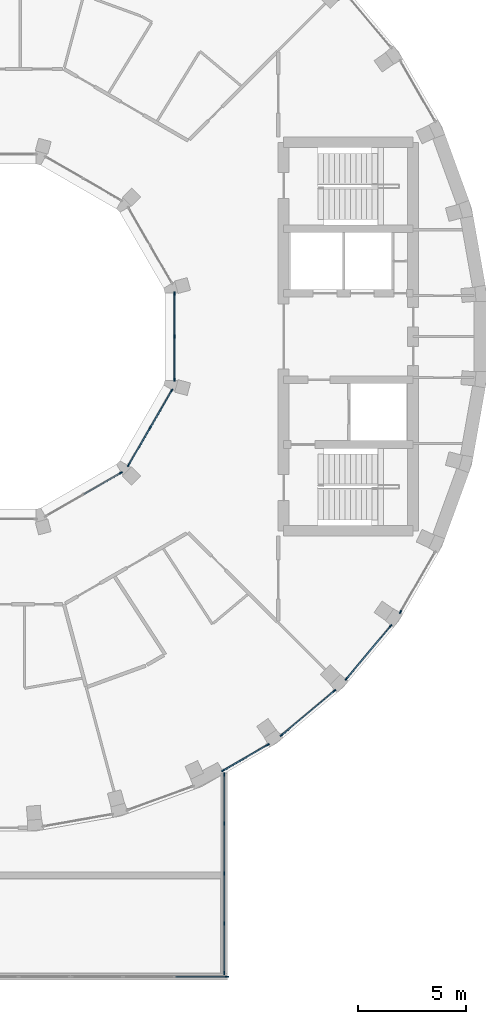
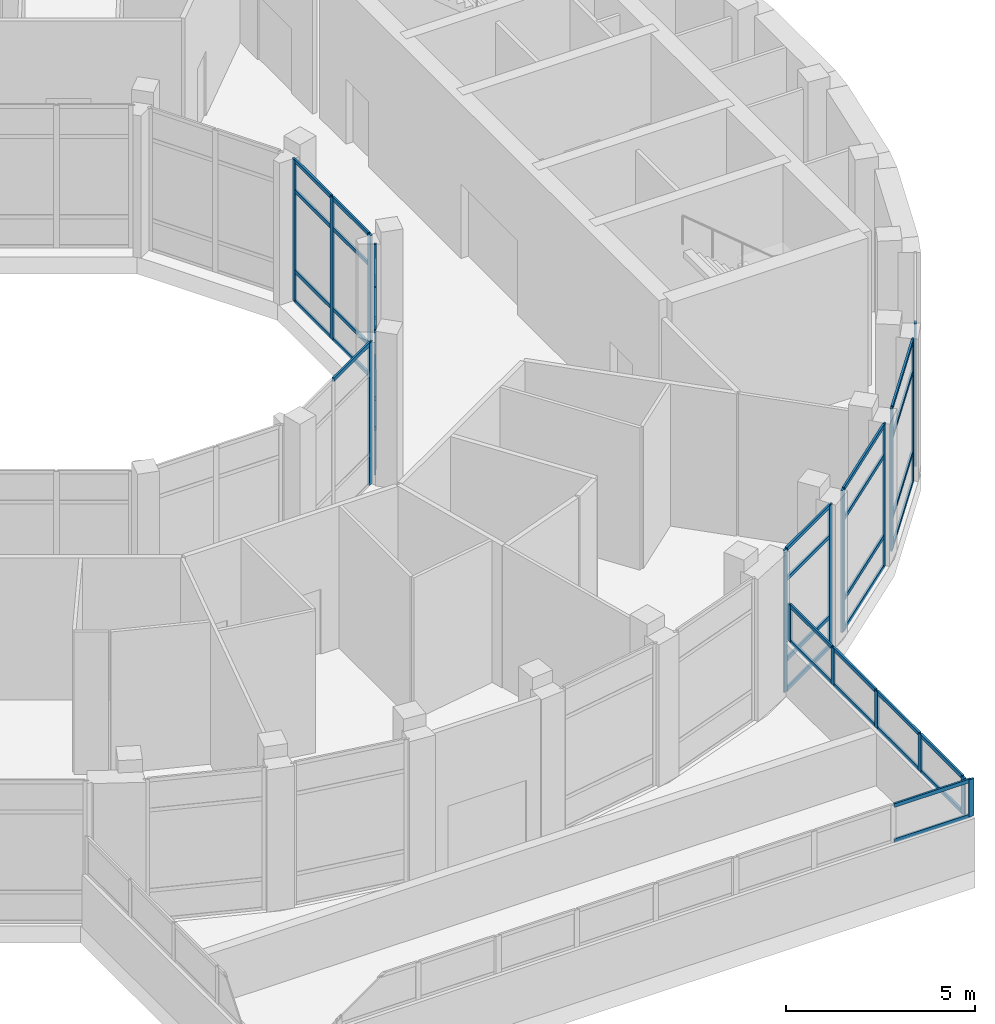
# One storey, part 5 of 19: 59 members, 9 elements without a shape of their own.
"""IFC4 building model written with IfcOpenShell, lengths in metres."""

from ifc_helpers import new_model, si_unit, direction, frame, origin, origin_2d, place, context, subcontext, project, spatial, rectangle, extrude, material, layer, layer_set, material_profile, profile_set, type_object, element, aggregate, save


model = new_model("IFC4")

# Units and contexts
model_context = context("Model", 3, precision=1e-05, world=origin(), true_north=direction((0.0, 1.0)))
body_context = subcontext(model_context, "Body", "Model", "MODEL_VIEW")
ifc_project = project(units=[si_unit("LENGTHUNIT", "METRE"), si_unit("AREAUNIT", "SQUARE_METRE"), si_unit("VOLUMEUNIT", "CUBIC_METRE"), si_unit("PLANEANGLEUNIT", "RADIAN"), si_unit("MASSUNIT", "GRAM", prefix="KILO")], contexts=[model_context])

# Site, building, storey
site_placement = place(None, origin())
site = spatial("IfcSite", under=ifc_project, at=site_placement, CompositionType="ELEMENT")
building_placement = place(site_placement, origin())
building = spatial("IfcBuilding", under=site, at=building_placement, Name="Saqina Gate Tower", CompositionType="ELEMENT")
storey_placement = place(building_placement, frame((0.0, 0.0, 224.699951171875)))
storey = spatial("IfcBuildingStorey", under=building, at=storey_placement, Name="L64", CompositionType="ELEMENT", Elevation=224.699951171875)

# Curtain wall, members
ifc_material_1 = material(Name="Aluminium glazing", Category="aluminium")
ifc_layer_1 = layer(ifc_material_1, 0.159912109375)
ifc_layer_set_1 = layer_set([ifc_layer_1], Name="CWT-2")
curtain_wall_type_1 = type_object("IfcCurtainWallType", Name="CWT-2", PredefinedType="NOTDEFINED", material=ifc_layer_set_1)
curtain_wall_1_placement = place(storey_placement, origin())
curtain_wall_1 = element("IfcCurtainWall", 1, at=curtain_wall_1_placement, inside=storey, type_object=curtain_wall_type_1, Name="Sky lounge glazing facet 30", PredefinedType="NOTDEFINED")
ifc_material_2 = material(Name="Aluminium", Category="aluminium")
ifc_material_profile_1 = material_profile(ifc_material_2, rectangle(XDim=0.06005859375, YDim=0.159912109375, at=origin_2d()), Name="Aluminium 60x160")
ifc_profile_set_1 = profile_set([ifc_material_profile_1], Name="Aluminium")
member_type_1 = type_object("IfcMemberType", Name="CWT-2M", PredefinedType="MULLION", material=ifc_profile_set_1)
member_1_placement = place(storey_placement, frame((10.700927734375, -20.105712890625, 0.0), z_axis=(0.0, 0.0, 1.0), x_axis=(-0.499971836646, 0.866041663294, 0.0)))
member_1 = element("IfcMember", 2, at=member_1_placement, type_object=member_type_1, Name="CW2-30 mullion 1", PredefinedType="MULLION", context=body_context, shape_type="SweptSolid", body=[
    extrude(rectangle(XDim=0.06005859375, YDim=0.159912109375, at=origin_2d()), origin(), (0.0, 0.0, 1.0), 4.60009765625),
])
member_2_placement = place(storey_placement, frame((12.763427734375, -18.9150390625, 0.0), z_axis=(0.0, 0.0, 1.0), x_axis=(-0.499971836646, 0.866041663294, 0.0)))
member_2 = element("IfcMember", 3, at=member_2_placement, type_object=member_type_1, Name="CW2-30 mullion 2", PredefinedType="MULLION", context=body_context, shape_type="SweptSolid", body=[
    extrude(rectangle(XDim=0.06005859375, YDim=0.159912109375, at=origin_2d()), origin(), (0.0, 0.0, 1.0), 4.60009765625),
])

curtain_wall_2_placement = place(storey_placement, origin())
curtain_wall_2 = element("IfcCurtainWall", 4, at=curtain_wall_2_placement, inside=storey, type_object=curtain_wall_type_1, Name="Sky lounge glazing facet 31", PredefinedType="NOTDEFINED")
member_3_placement = place(storey_placement, frame((13.408935546875, -18.462890625, 0.0), z_axis=(0.0, 0.0, 1.0), x_axis=(-0.642785214609, 0.766046452821, 0.0)))
member_3 = element("IfcMember", 5, at=member_3_placement, type_object=member_type_1, Name="CW2-31 mullion 1", PredefinedType="MULLION", context=body_context, shape_type="SweptSolid", body=[
    extrude(rectangle(XDim=0.06005859375, YDim=0.159912109375, at=origin_2d()), origin(), (0.0, 0.0, 1.0), 4.60009765625),
])
member_4_placement = place(storey_placement, frame((15.85400390625, -16.411376953125, 0.0), z_axis=(0.0, 0.0, 1.0), x_axis=(-0.642785214609, 0.766046452821, 0.0)))
member_4 = element("IfcMember", 6, at=member_4_placement, type_object=member_type_1, Name="CW2-31 mullion 2", PredefinedType="MULLION", context=body_context, shape_type="SweptSolid", body=[
    extrude(rectangle(XDim=0.06005859375, YDim=0.159912109375, at=origin_2d()), origin(), (0.0, 0.0, 1.0), 4.60009765625),
])

curtain_wall_3_placement = place(storey_placement, origin())
curtain_wall_3 = element("IfcCurtainWall", 7, at=curtain_wall_3_placement, inside=storey, type_object=curtain_wall_type_1, Name="Sky lounge glazing facet 32", PredefinedType="NOTDEFINED")
member_5_placement = place(storey_placement, frame((16.411376953125, -15.85400390625, 0.0), z_axis=(0.0, 0.0, 1.0), x_axis=(-0.766046452821, 0.642785214609, 0.0)))
member_5 = element("IfcMember", 8, at=member_5_placement, type_object=member_type_1, Name="CW2-32 mullion 1", PredefinedType="MULLION", context=body_context, shape_type="SweptSolid", body=[
    extrude(rectangle(XDim=0.06005859375, YDim=0.159912109375, at=origin_2d()), origin(), (0.0, 0.0, 1.0), 4.60009765625),
])
member_6_placement = place(storey_placement, frame((18.462890625, -13.408935546875, 0.0), z_axis=(0.0, 0.0, 1.0), x_axis=(-0.766046452821, 0.642785214609, 0.0)))
member_6 = element("IfcMember", 9, at=member_6_placement, type_object=member_type_1, Name="CW2-32 mullion 2", PredefinedType="MULLION", context=body_context, shape_type="SweptSolid", body=[
    extrude(rectangle(XDim=0.06005859375, YDim=0.159912109375, at=origin_2d()), origin(), (0.0, 0.0, 1.0), 4.60009765625),
])

# Curtain wall, member
curtain_wall_4_placement = place(storey_placement, origin())
curtain_wall_4 = element("IfcCurtainWall", 10, at=curtain_wall_4_placement, inside=storey, type_object=curtain_wall_type_1, Name="Sky lounge glazing facet 33", PredefinedType="NOTDEFINED")
member_7_placement = place(storey_placement, frame((18.9150390625, -12.763427734375, 0.0), z_axis=(0.0, 0.0, 1.0), x_axis=(-0.8660355365, 0.499982449212, 0.0)))
member_7 = element("IfcMember", 11, at=member_7_placement, type_object=member_type_1, Name="CW2-33 mullion 1", PredefinedType="MULLION", context=body_context, shape_type="SweptSolid", body=[
    extrude(rectangle(XDim=0.06005859375, YDim=0.159912109375, at=origin_2d()), origin(), (0.0, 0.0, 1.0), 4.60009765625),
])
aggregate(curtain_wall_4, [member_7])

# Member
ifc_material_3 = material(Name="Aluminium", Category="aluminium")
ifc_material_profile_2 = material_profile(ifc_material_3, rectangle(XDim=0.06005859375, YDim=0.1201171875, at=origin_2d()), Name="Aluminium 60x120")
ifc_profile_set_2 = profile_set([ifc_material_profile_2], Name="Aluminium")
member_type_2 = type_object("IfcMemberType", Name="CWT-2T", PredefinedType="USERDEFINED", material=ifc_profile_set_2)
member_8_placement = place(storey_placement, frame((10.72705078125, -20.090576171875, 0.030029296875), z_axis=(0.866020945878, 0.500007721242, 0.0), x_axis=(-0.500007721242, 0.866020945878, 0.0)))
member_8 = element("IfcMember", 12, at=member_8_placement, type_object=member_type_2, Name="CW2-30 transom 1.1", ObjectType="TRANSOM", PredefinedType="USERDEFINED", context=body_context, shape_type="SweptSolid", body=[
    extrude(rectangle(XDim=0.06005859375, YDim=0.1201171875, at=origin_2d()), origin(), (0.0, 0.0, 1.0), 2.3212890625),
])

member_9_placement = place(storey_placement, frame((10.72705078125, -20.090576171875, 1.0), z_axis=(0.866020945878, 0.500007721242, 0.0), x_axis=(-0.500007721242, 0.866020945878, 0.0)))
member_9 = element("IfcMember", 13, at=member_9_placement, type_object=member_type_2, Name="CW2-30 transom 1.2", ObjectType="TRANSOM", PredefinedType="USERDEFINED", context=body_context, shape_type="SweptSolid", body=[
    extrude(rectangle(XDim=0.06005859375, YDim=0.1201171875, at=origin_2d()), origin(), (0.0, 0.0, 1.0), 2.3212890625),
])

member_10_placement = place(storey_placement, frame((10.72705078125, -20.090576171875, 3.60009765625), z_axis=(0.866020945878, 0.500007721242, 0.0), x_axis=(-0.500007721242, 0.866020945878, 0.0)))
member_10 = element("IfcMember", 14, at=member_10_placement, type_object=member_type_2, Name="CW2-30 transom 1.3", ObjectType="TRANSOM", PredefinedType="USERDEFINED", context=body_context, shape_type="SweptSolid", body=[
    extrude(rectangle(XDim=0.06005859375, YDim=0.1201171875, at=origin_2d()), origin(), (0.0, 0.0, 1.0), 2.3212890625),
])

member_11_placement = place(storey_placement, frame((10.72705078125, -20.090576171875, 4.570068359375), z_axis=(0.866020945878, 0.500007721242, 0.0), x_axis=(-0.500007721242, 0.866020945878, 0.0)))
member_11 = element("IfcMember", 15, at=member_11_placement, type_object=member_type_2, Name="CW2-30 transom 1.4", ObjectType="TRANSOM", PredefinedType="USERDEFINED", context=body_context, shape_type="SweptSolid", body=[
    extrude(rectangle(XDim=0.06005859375, YDim=0.1201171875, at=origin_2d()), origin(), (0.0, 0.0, 1.0), 2.3212890625),
])

aggregate(curtain_wall_1, [member_1, member_2, member_8, member_9, member_10, member_11])

member_12_placement = place(storey_placement, frame((13.431884765625, -18.443603515625, 0.030029296875), z_axis=(0.766076382206, 0.642749544244, 0.0), x_axis=(-0.642749544244, 0.766076382206, 0.0)))
member_12 = element("IfcMember", 16, at=member_12_placement, type_object=member_type_2, Name="CW2-31 transom 1.1", ObjectType="TRANSOM", PredefinedType="USERDEFINED", context=body_context, shape_type="SweptSolid", body=[
    extrude(rectangle(XDim=0.06005859375, YDim=0.1201171875, at=origin_2d()), origin(), (0.0, 0.0, 1.0), 3.1318359375),
])

member_13_placement = place(storey_placement, frame((13.431884765625, -18.443603515625, 1.0), z_axis=(0.766076382206, 0.642749544244, 0.0), x_axis=(-0.642749544244, 0.766076382206, 0.0)))
member_13 = element("IfcMember", 17, at=member_13_placement, type_object=member_type_2, Name="CW2-31 transom 1.2", ObjectType="TRANSOM", PredefinedType="USERDEFINED", context=body_context, shape_type="SweptSolid", body=[
    extrude(rectangle(XDim=0.06005859375, YDim=0.1201171875, at=origin_2d()), origin(), (0.0, 0.0, 1.0), 3.1318359375),
])

member_14_placement = place(storey_placement, frame((13.431884765625, -18.443603515625, 3.60009765625), z_axis=(0.766076382206, 0.642749544244, 0.0), x_axis=(-0.642749544244, 0.766076382206, 0.0)))
member_14 = element("IfcMember", 18, at=member_14_placement, type_object=member_type_2, Name="CW2-31 transom 1.3", ObjectType="TRANSOM", PredefinedType="USERDEFINED", context=body_context, shape_type="SweptSolid", body=[
    extrude(rectangle(XDim=0.06005859375, YDim=0.1201171875, at=origin_2d()), origin(), (0.0, 0.0, 1.0), 3.1318359375),
])

member_15_placement = place(storey_placement, frame((13.431884765625, -18.443603515625, 4.570068359375), z_axis=(0.766076382206, 0.642749544244, 0.0), x_axis=(-0.642749544244, 0.766076382206, 0.0)))
member_15 = element("IfcMember", 19, at=member_15_placement, type_object=member_type_2, Name="CW2-31 transom 1.4", ObjectType="TRANSOM", PredefinedType="USERDEFINED", context=body_context, shape_type="SweptSolid", body=[
    extrude(rectangle(XDim=0.06005859375, YDim=0.1201171875, at=origin_2d()), origin(), (0.0, 0.0, 1.0), 3.1318359375),
])

aggregate(curtain_wall_2, [member_3, member_4, member_12, member_13, member_14, member_15])

member_16_placement = place(storey_placement, frame((16.4306640625, -15.8310546875, 0.030029296875), z_axis=(0.642749544244, 0.766076382206, 0.0), x_axis=(-0.766076382206, 0.642749544244, 0.0)))
member_16 = element("IfcMember", 20, at=member_16_placement, type_object=member_type_2, Name="CW2-32 transom 1.1", ObjectType="TRANSOM", PredefinedType="USERDEFINED", context=body_context, shape_type="SweptSolid", body=[
    extrude(rectangle(XDim=0.06005859375, YDim=0.1201171875, at=origin_2d()), origin(), (0.0, 0.0, 1.0), 3.1318359375),
])

member_17_placement = place(storey_placement, frame((16.4306640625, -15.8310546875, 1.0), z_axis=(0.642749544244, 0.766076382206, 0.0), x_axis=(-0.766076382206, 0.642749544244, 0.0)))
member_17 = element("IfcMember", 21, at=member_17_placement, type_object=member_type_2, Name="CW2-32 transom 1.2", ObjectType="TRANSOM", PredefinedType="USERDEFINED", context=body_context, shape_type="SweptSolid", body=[
    extrude(rectangle(XDim=0.06005859375, YDim=0.1201171875, at=origin_2d()), origin(), (0.0, 0.0, 1.0), 3.1318359375),
])

member_18_placement = place(storey_placement, frame((16.4306640625, -15.8310546875, 3.60009765625), z_axis=(0.642749544244, 0.766076382206, 0.0), x_axis=(-0.766076382206, 0.642749544244, 0.0)))
member_18 = element("IfcMember", 22, at=member_18_placement, type_object=member_type_2, Name="CW2-32 transom 1.3", ObjectType="TRANSOM", PredefinedType="USERDEFINED", context=body_context, shape_type="SweptSolid", body=[
    extrude(rectangle(XDim=0.06005859375, YDim=0.1201171875, at=origin_2d()), origin(), (0.0, 0.0, 1.0), 3.1318359375),
])

member_19_placement = place(storey_placement, frame((16.4306640625, -15.8310546875, 4.570068359375), z_axis=(0.642749544244, 0.766076382206, 0.0), x_axis=(-0.766076382206, 0.642749544244, 0.0)))
member_19 = element("IfcMember", 23, at=member_19_placement, type_object=member_type_2, Name="CW2-32 transom 1.4", ObjectType="TRANSOM", PredefinedType="USERDEFINED", context=body_context, shape_type="SweptSolid", body=[
    extrude(rectangle(XDim=0.06005859375, YDim=0.1201171875, at=origin_2d()), origin(), (0.0, 0.0, 1.0), 3.1318359375),
])

aggregate(curtain_wall_3, [member_5, member_6, member_16, member_17, member_18, member_19])

# Curtain wall, member
ifc_material_4 = material(Name="Aluminium glazing", Category="aluminium")
ifc_layer_2 = layer(ifc_material_4, 0.159912109375)
ifc_layer_set_2 = layer_set([ifc_layer_2], Name="CWT-3")
curtain_wall_type_2 = type_object("IfcCurtainWallType", Name="CWT-3", PredefinedType="NOTDEFINED", material=ifc_layer_set_2)
curtain_wall_5_placement = place(storey_placement, origin())
curtain_wall_5 = element("IfcCurtainWall", 24, at=curtain_wall_5_placement, inside=storey, type_object=curtain_wall_type_2, Name="Sky lounge well glazing L64 facet 10", PredefinedType="NOTDEFINED")
ifc_material_5 = material(Name="Aluminium", Category="aluminium")
ifc_material_profile_3 = material_profile(ifc_material_5, rectangle(XDim=0.06005859375, YDim=0.159912109375, at=origin_2d()), Name="Aluminium 60x160")
ifc_profile_set_3 = profile_set([ifc_material_profile_3], Name="Aluminium")
member_type_3 = type_object("IfcMemberType", Name="CWT-3M", PredefinedType="MULLION", material=ifc_profile_set_3)
member_20_placement = place(storey_placement, frame((5.95654296875, -6.318115234375, 0.0), z_axis=(0.0, 0.0, 1.0), x_axis=(-0.500002550729, 0.866023931115, 0.0)))
member_20 = element("IfcMember", 25, at=member_20_placement, type_object=member_type_3, Name="CW3-10 mullion 3", PredefinedType="MULLION", context=body_context, shape_type="SweptSolid", body=[
    extrude(rectangle(XDim=0.06005859375, YDim=0.159912109375, at=origin_2d()), origin(), (0.0, 0.0, 1.0), 4.60009765625),
])

# Curtain wall, members
curtain_wall_6_placement = place(storey_placement, origin())
curtain_wall_6 = element("IfcCurtainWall", 26, at=curtain_wall_6_placement, inside=storey, type_object=curtain_wall_type_2, Name="Sky lounge well glazing L64 facet 11", PredefinedType="NOTDEFINED")
member_21_placement = place(storey_placement, frame((6.318115234375, -5.95654296875, 0.0), z_axis=(0.0, 0.0, 1.0), x_axis=(-0.866023931115, 0.500002550729, 0.0)))
member_21 = element("IfcMember", 27, at=member_21_placement, type_object=member_type_3, Name="CW3-11 mullion 1", PredefinedType="MULLION", context=body_context, shape_type="SweptSolid", body=[
    extrude(rectangle(XDim=0.06005859375, YDim=0.159912109375, at=origin_2d()), origin(), (0.0, 0.0, 1.0), 4.60009765625),
])
member_22_placement = place(storey_placement, frame((7.31787109375, -4.22509765625, 0.0), z_axis=(0.0, 0.0, 1.0), x_axis=(-0.866023931115, 0.500002550729, 0.0)))
member_22 = element("IfcMember", 28, at=member_22_placement, type_object=member_type_3, Name="CW3-11 mullion 2", PredefinedType="MULLION", context=body_context, shape_type="SweptSolid", body=[
    extrude(rectangle(XDim=0.06005859375, YDim=0.159912109375, at=origin_2d()), origin(), (0.0, 0.0, 1.0), 4.60009765625),
])
member_23_placement = place(storey_placement, frame((8.317626953125, -2.493408203125, 0.0), z_axis=(0.0, 0.0, 1.0), x_axis=(-0.866023931115, 0.500002550729, 0.0)))
member_23 = element("IfcMember", 29, at=member_23_placement, type_object=member_type_3, Name="CW3-11 mullion 3", PredefinedType="MULLION", context=body_context, shape_type="SweptSolid", body=[
    extrude(rectangle(XDim=0.06005859375, YDim=0.159912109375, at=origin_2d()), origin(), (0.0, 0.0, 1.0), 4.60009765625),
])

curtain_wall_7_placement = place(storey_placement, origin())
curtain_wall_7 = element("IfcCurtainWall", 30, at=curtain_wall_7_placement, inside=storey, type_object=curtain_wall_type_2, Name="Sky lounge well glazing L64 facet 12", PredefinedType="NOTDEFINED")
member_24_placement = place(storey_placement, frame((8.449951171875, -1.99951171875, 0.0), z_axis=(0.0, 0.0, 1.0), x_axis=(-1.0, 0.0, 0.0)))
member_24 = element("IfcMember", 31, at=member_24_placement, type_object=member_type_3, Name="CW3-12 mullion 1", PredefinedType="MULLION", context=body_context, shape_type="SweptSolid", body=[
    extrude(rectangle(XDim=0.06005859375, YDim=0.159912109375, at=origin_2d()), origin(), (0.0, 0.0, 1.0), 4.60009765625),
])
member_25_placement = place(storey_placement, frame((8.449951171875, 0.0, 0.0), z_axis=(0.0, 0.0, 1.0), x_axis=(-1.0, 0.0, 0.0)))
member_25 = element("IfcMember", 32, at=member_25_placement, type_object=member_type_3, Name="CW3-12 mullion 2", PredefinedType="MULLION", context=body_context, shape_type="SweptSolid", body=[
    extrude(rectangle(XDim=0.06005859375, YDim=0.159912109375, at=origin_2d()), origin(), (0.0, 0.0, 1.0), 4.60009765625),
])
member_26_placement = place(storey_placement, frame((8.449951171875, 1.99951171875, 0.0), z_axis=(0.0, 0.0, 1.0), x_axis=(-1.0, 0.0, 0.0)))
member_26 = element("IfcMember", 33, at=member_26_placement, type_object=member_type_3, Name="CW3-12 mullion 3", PredefinedType="MULLION", context=body_context, shape_type="SweptSolid", body=[
    extrude(rectangle(XDim=0.06005859375, YDim=0.159912109375, at=origin_2d()), origin(), (0.0, 0.0, 1.0), 4.60009765625),
])

# Member
ifc_material_6 = material(Name="Aluminium", Category="aluminium")
ifc_material_profile_4 = material_profile(ifc_material_6, rectangle(XDim=0.06005859375, YDim=0.1201171875, at=origin_2d()), Name="Aluminium 60x120")
ifc_profile_set_4 = profile_set([ifc_material_profile_4], Name="Aluminium")
member_type_4 = type_object("IfcMemberType", Name="CWT-3T", PredefinedType="USERDEFINED", material=ifc_profile_set_4)
member_27_placement = place(storey_placement, frame((4.2509765625, -7.302978515625, 4.570068359375), z_axis=(0.866003189247, 0.500038474733, 0.0), x_axis=(-0.500038474733, 0.866003189247, 0.0)))
member_27 = element("IfcMember", 34, at=member_27_placement, type_object=member_type_4, Name="CW3-10 transom 2.4", ObjectType="TRANSOM", PredefinedType="USERDEFINED", context=body_context, shape_type="SweptSolid", body=[
    extrude(rectangle(XDim=0.06005859375, YDim=0.1201171875, at=origin_2d()), origin(), (0.0, 0.0, 1.0), 1.939208984375),
])

aggregate(curtain_wall_5, [member_20, member_27])

member_28_placement = place(storey_placement, frame((6.333251953125, -5.930419921875, 0.030029296875), z_axis=(0.500038474733, 0.866003189247, 0.0), x_axis=(-0.866003189247, 0.500038474733, 0.0)))
member_28 = element("IfcMember", 35, at=member_28_placement, type_object=member_type_4, Name="CW3-11 transom 1.1", ObjectType="TRANSOM", PredefinedType="USERDEFINED", context=body_context, shape_type="SweptSolid", body=[
    extrude(rectangle(XDim=0.06005859375, YDim=0.1201171875, at=origin_2d()), origin(), (0.0, 0.0, 1.0), 1.939208984375),
])

member_29_placement = place(storey_placement, frame((6.333251953125, -5.930419921875, 1.0), z_axis=(0.500038474733, 0.866003189247, 0.0), x_axis=(-0.866003189247, 0.500038474733, 0.0)))
member_29 = element("IfcMember", 36, at=member_29_placement, type_object=member_type_4, Name="CW3-11 transom 1.2", ObjectType="TRANSOM", PredefinedType="USERDEFINED", context=body_context, shape_type="SweptSolid", body=[
    extrude(rectangle(XDim=0.06005859375, YDim=0.1201171875, at=origin_2d()), origin(), (0.0, 0.0, 1.0), 1.939208984375),
])

member_30_placement = place(storey_placement, frame((6.333251953125, -5.930419921875, 3.60009765625), z_axis=(0.500038474733, 0.866003189247, 0.0), x_axis=(-0.866003189247, 0.500038474733, 0.0)))
member_30 = element("IfcMember", 37, at=member_30_placement, type_object=member_type_4, Name="CW3-11 transom 1.3", ObjectType="TRANSOM", PredefinedType="USERDEFINED", context=body_context, shape_type="SweptSolid", body=[
    extrude(rectangle(XDim=0.06005859375, YDim=0.1201171875, at=origin_2d()), origin(), (0.0, 0.0, 1.0), 1.939208984375),
])

member_31_placement = place(storey_placement, frame((6.333251953125, -5.930419921875, 4.570068359375), z_axis=(0.500038474733, 0.866003189247, 0.0), x_axis=(-0.866003189247, 0.500038474733, 0.0)))
member_31 = element("IfcMember", 38, at=member_31_placement, type_object=member_type_4, Name="CW3-11 transom 1.4", ObjectType="TRANSOM", PredefinedType="USERDEFINED", context=body_context, shape_type="SweptSolid", body=[
    extrude(rectangle(XDim=0.06005859375, YDim=0.1201171875, at=origin_2d()), origin(), (0.0, 0.0, 1.0), 1.939208984375),
])

member_32_placement = place(storey_placement, frame((7.3330078125, -4.198974609375, 0.030029296875), z_axis=(0.499944052521, 0.866057702667, 0.0), x_axis=(-0.866057702667, 0.499944052521, 0.0)))
member_32 = element("IfcMember", 39, at=member_32_placement, type_object=member_type_4, Name="CW3-11 transom 2.1", ObjectType="TRANSOM", PredefinedType="USERDEFINED", context=body_context, shape_type="SweptSolid", body=[
    extrude(rectangle(XDim=0.06005859375, YDim=0.1201171875, at=origin_2d()), origin(), (0.0, 0.0, 1.0), 1.939208984375),
])

member_33_placement = place(storey_placement, frame((7.3330078125, -4.198974609375, 1.0), z_axis=(0.499944052521, 0.866057702667, 0.0), x_axis=(-0.866057702667, 0.499944052521, 0.0)))
member_33 = element("IfcMember", 40, at=member_33_placement, type_object=member_type_4, Name="CW3-11 transom 2.2", ObjectType="TRANSOM", PredefinedType="USERDEFINED", context=body_context, shape_type="SweptSolid", body=[
    extrude(rectangle(XDim=0.06005859375, YDim=0.1201171875, at=origin_2d()), origin(), (0.0, 0.0, 1.0), 1.939208984375),
])

member_34_placement = place(storey_placement, frame((7.3330078125, -4.198974609375, 3.60009765625), z_axis=(0.499944052521, 0.866057702667, 0.0), x_axis=(-0.866057702667, 0.499944052521, 0.0)))
member_34 = element("IfcMember", 41, at=member_34_placement, type_object=member_type_4, Name="CW3-11 transom 2.3", ObjectType="TRANSOM", PredefinedType="USERDEFINED", context=body_context, shape_type="SweptSolid", body=[
    extrude(rectangle(XDim=0.06005859375, YDim=0.1201171875, at=origin_2d()), origin(), (0.0, 0.0, 1.0), 1.939208984375),
])

member_35_placement = place(storey_placement, frame((7.3330078125, -4.198974609375, 4.570068359375), z_axis=(0.499944052521, 0.866057702667, 0.0), x_axis=(-0.866057702667, 0.499944052521, 0.0)))
member_35 = element("IfcMember", 42, at=member_35_placement, type_object=member_type_4, Name="CW3-11 transom 2.4", ObjectType="TRANSOM", PredefinedType="USERDEFINED", context=body_context, shape_type="SweptSolid", body=[
    extrude(rectangle(XDim=0.06005859375, YDim=0.1201171875, at=origin_2d()), origin(), (0.0, 0.0, 1.0), 1.939208984375),
])

aggregate(curtain_wall_6, [member_21, member_22, member_23, member_28, member_29, member_30, member_31, member_32, member_33, member_34, member_35])

member_36_placement = place(storey_placement, frame((8.449951171875, -1.969482421875, 0.030029296875), z_axis=(0.0, 1.0, 0.0), x_axis=(-1.0, 0.0, 0.0)))
member_36 = element("IfcMember", 43, at=member_36_placement, type_object=member_type_4, Name="CW3-12 transom 1.1", ObjectType="TRANSOM", PredefinedType="USERDEFINED", context=body_context, shape_type="SweptSolid", body=[
    extrude(rectangle(XDim=0.06005859375, YDim=0.1201171875, at=origin_2d()), origin(), (0.0, 0.0, 1.0), 1.939453125),
])

member_37_placement = place(storey_placement, frame((8.449951171875, -1.969482421875, 1.0), z_axis=(0.0, 1.0, 0.0), x_axis=(-1.0, 0.0, 0.0)))
member_37 = element("IfcMember", 44, at=member_37_placement, type_object=member_type_4, Name="CW3-12 transom 1.2", ObjectType="TRANSOM", PredefinedType="USERDEFINED", context=body_context, shape_type="SweptSolid", body=[
    extrude(rectangle(XDim=0.06005859375, YDim=0.1201171875, at=origin_2d()), origin(), (0.0, 0.0, 1.0), 1.939453125),
])

member_38_placement = place(storey_placement, frame((8.449951171875, -1.969482421875, 3.60009765625), z_axis=(0.0, 1.0, 0.0), x_axis=(-1.0, 0.0, 0.0)))
member_38 = element("IfcMember", 45, at=member_38_placement, type_object=member_type_4, Name="CW3-12 transom 1.3", ObjectType="TRANSOM", PredefinedType="USERDEFINED", context=body_context, shape_type="SweptSolid", body=[
    extrude(rectangle(XDim=0.06005859375, YDim=0.1201171875, at=origin_2d()), origin(), (0.0, 0.0, 1.0), 1.939453125),
])

member_39_placement = place(storey_placement, frame((8.449951171875, -1.969482421875, 4.570068359375), z_axis=(0.0, 1.0, 0.0), x_axis=(-1.0, 0.0, 0.0)))
member_39 = element("IfcMember", 46, at=member_39_placement, type_object=member_type_4, Name="CW3-12 transom 1.4", ObjectType="TRANSOM", PredefinedType="USERDEFINED", context=body_context, shape_type="SweptSolid", body=[
    extrude(rectangle(XDim=0.06005859375, YDim=0.1201171875, at=origin_2d()), origin(), (0.0, 0.0, 1.0), 1.939453125),
])

member_40_placement = place(storey_placement, frame((8.449951171875, 0.030029296875, 0.030029296875), z_axis=(0.0, 1.0, 0.0), x_axis=(-1.0, 0.0, 0.0)))
member_40 = element("IfcMember", 47, at=member_40_placement, type_object=member_type_4, Name="CW3-12 transom 2.1", ObjectType="TRANSOM", PredefinedType="USERDEFINED", context=body_context, shape_type="SweptSolid", body=[
    extrude(rectangle(XDim=0.06005859375, YDim=0.1201171875, at=origin_2d()), origin(), (0.0, 0.0, 1.0), 1.939453125),
])

member_41_placement = place(storey_placement, frame((8.449951171875, 0.030029296875, 1.0), z_axis=(0.0, 1.0, 0.0), x_axis=(-1.0, 0.0, 0.0)))
member_41 = element("IfcMember", 48, at=member_41_placement, type_object=member_type_4, Name="CW3-12 transom 2.2", ObjectType="TRANSOM", PredefinedType="USERDEFINED", context=body_context, shape_type="SweptSolid", body=[
    extrude(rectangle(XDim=0.06005859375, YDim=0.1201171875, at=origin_2d()), origin(), (0.0, 0.0, 1.0), 1.939453125),
])

member_42_placement = place(storey_placement, frame((8.449951171875, 0.030029296875, 3.60009765625), z_axis=(0.0, 1.0, 0.0), x_axis=(-1.0, 0.0, 0.0)))
member_42 = element("IfcMember", 49, at=member_42_placement, type_object=member_type_4, Name="CW3-12 transom 2.3", ObjectType="TRANSOM", PredefinedType="USERDEFINED", context=body_context, shape_type="SweptSolid", body=[
    extrude(rectangle(XDim=0.06005859375, YDim=0.1201171875, at=origin_2d()), origin(), (0.0, 0.0, 1.0), 1.939453125),
])

member_43_placement = place(storey_placement, frame((8.449951171875, 0.030029296875, 4.570068359375), z_axis=(0.0, 1.0, 0.0), x_axis=(-1.0, 0.0, 0.0)))
member_43 = element("IfcMember", 50, at=member_43_placement, type_object=member_type_4, Name="CW3-12 transom 2.4", ObjectType="TRANSOM", PredefinedType="USERDEFINED", context=body_context, shape_type="SweptSolid", body=[
    extrude(rectangle(XDim=0.06005859375, YDim=0.1201171875, at=origin_2d()), origin(), (0.0, 0.0, 1.0), 1.939453125),
])

aggregate(curtain_wall_7, [member_24, member_25, member_26, member_36, member_37, member_38, member_39, member_40, member_41, member_42, member_43])

# Curtain wall, member
ifc_material_7 = material(Name="Aluminium glazing", Category="aluminium")
ifc_layer_3 = layer(ifc_material_7, 0.159912109375)
ifc_layer_set_3 = layer_set([ifc_layer_3], Name="CWT-6")
curtain_wall_type_3 = type_object("IfcCurtainWallType", Name="CWT-6", PredefinedType="NOTDEFINED", material=ifc_layer_set_3)
curtain_wall_8_placement = place(storey_placement, origin())
curtain_wall_8 = element("IfcCurtainWall", 51, at=curtain_wall_8_placement, inside=storey, type_object=curtain_wall_type_3, Name="Sky pool glass S3", PredefinedType="NOTDEFINED")
ifc_material_8 = material(Name="Aluminium", Category="aluminium")
ifc_material_profile_5 = material_profile(ifc_material_8, rectangle(XDim=0.06005859375, YDim=0.159912109375, at=origin_2d()), Name="Aluminium 60x160")
ifc_profile_set_5 = profile_set([ifc_material_profile_5], Name="Aluminium")
member_type_5 = type_object("IfcMemberType", Name="CWT-6M", PredefinedType="MULLION", material=ifc_profile_set_5)
member_44_placement = place(storey_placement, frame((10.8701171875, -29.66259765625, 1.699951171875), z_axis=(0.0, 0.0, 1.0), x_axis=(0.0, 1.0, 0.0)))
member_44 = element("IfcMember", 52, at=member_44_placement, type_object=member_type_5, Name="CW6-S3 mullion 4", PredefinedType="MULLION", context=body_context, shape_type="SweptSolid", body=[
    extrude(rectangle(XDim=0.06005859375, YDim=0.159912109375, at=origin_2d()), origin(), (0.0, 0.0, 1.0), 1.2001953125),
])

# Curtain wall, members
curtain_wall_9_placement = place(storey_placement, origin())
curtain_wall_9 = element("IfcCurtainWall", 53, at=curtain_wall_9_placement, inside=storey, type_object=curtain_wall_type_3, Name="Sky pool glass E", PredefinedType="NOTDEFINED")
member_45_placement = place(storey_placement, frame((10.75, -29.482421875, 1.699951171875), z_axis=(0.0, 0.0, 1.0), x_axis=(-1.0, 0.0, 0.0)))
member_45 = element("IfcMember", 54, at=member_45_placement, type_object=member_type_5, Name="CW6-E mullion 1", PredefinedType="MULLION", context=body_context, shape_type="SweptSolid", body=[
    extrude(rectangle(XDim=0.06005859375, YDim=0.159912109375, at=origin_2d()), origin(), (0.0, 0.0, 1.0), 1.2001953125),
])
member_46_placement = place(storey_placement, frame((10.75, -27.197021484375, 1.699951171875), z_axis=(0.0, 0.0, 1.0), x_axis=(-1.0, 0.0, 0.0)))
member_46 = element("IfcMember", 55, at=member_46_placement, type_object=member_type_5, Name="CW6-E mullion 2", PredefinedType="MULLION", context=body_context, shape_type="SweptSolid", body=[
    extrude(rectangle(XDim=0.06005859375, YDim=0.159912109375, at=origin_2d()), origin(), (0.0, 0.0, 1.0), 1.2001953125),
])
member_47_placement = place(storey_placement, frame((10.75, -24.881591796875, 1.699951171875), z_axis=(0.0, 0.0, 1.0), x_axis=(-1.0, 0.0, 0.0)))
member_47 = element("IfcMember", 56, at=member_47_placement, type_object=member_type_5, Name="CW6-E mullion 3", PredefinedType="MULLION", context=body_context, shape_type="SweptSolid", body=[
    extrude(rectangle(XDim=0.06005859375, YDim=0.159912109375, at=origin_2d()), origin(), (0.0, 0.0, 1.0), 1.2001953125),
])
member_48_placement = place(storey_placement, frame((10.75, -22.56591796875, 1.699951171875), z_axis=(0.0, 0.0, 1.0), x_axis=(-1.0, 0.0, 0.0)))
member_48 = element("IfcMember", 57, at=member_48_placement, type_object=member_type_5, Name="CW6-E mullion 4", PredefinedType="MULLION", context=body_context, shape_type="SweptSolid", body=[
    extrude(rectangle(XDim=0.06005859375, YDim=0.159912109375, at=origin_2d()), origin(), (0.0, 0.0, 1.0), 1.2001953125),
])
member_49_placement = place(storey_placement, frame((10.75, -20.280517578125, 1.699951171875), z_axis=(0.0, 0.0, 1.0), x_axis=(-1.0, 0.0, 0.0)))
member_49 = element("IfcMember", 58, at=member_49_placement, type_object=member_type_5, Name="CW6-E mullion 5", PredefinedType="MULLION", context=body_context, shape_type="SweptSolid", body=[
    extrude(rectangle(XDim=0.06005859375, YDim=0.159912109375, at=origin_2d()), origin(), (0.0, 0.0, 1.0), 1.2001953125),
])

# Member
ifc_material_9 = material(Name="Aluminium", Category="aluminium")
ifc_material_profile_6 = material_profile(ifc_material_9, rectangle(XDim=0.06005859375, YDim=0.1201171875, at=origin_2d()), Name="Aluminium 60x120")
ifc_profile_set_6 = profile_set([ifc_material_profile_6], Name="Aluminium")
member_type_6 = type_object("IfcMemberType", Name="CWT-6T", PredefinedType="USERDEFINED", material=ifc_profile_set_6)
member_50_placement = place(storey_placement, frame((8.5078125, -29.66259765625, 1.72998046875), z_axis=(1.0, 0.0, 0.0), x_axis=(0.0, 1.0, 0.0)))
member_50 = element("IfcMember", 59, at=member_50_placement, type_object=member_type_6, Name="CW6-S3 transom 3.1", ObjectType="TRANSOM", PredefinedType="USERDEFINED", context=body_context, shape_type="SweptSolid", body=[
    extrude(rectangle(XDim=0.06005859375, YDim=0.1201171875, at=origin_2d()), origin(), (0.0, 0.0, 1.0), 2.332275390625),
])

member_51_placement = place(storey_placement, frame((8.5078125, -29.66259765625, 2.8701171875), z_axis=(1.0, 0.0, 0.0), x_axis=(0.0, 1.0, 0.0)))
member_51 = element("IfcMember", 60, at=member_51_placement, type_object=member_type_6, Name="CW6-S3 transom 3.2", ObjectType="TRANSOM", PredefinedType="USERDEFINED", context=body_context, shape_type="SweptSolid", body=[
    extrude(rectangle(XDim=0.06005859375, YDim=0.1201171875, at=origin_2d()), origin(), (0.0, 0.0, 1.0), 2.332275390625),
])

aggregate(curtain_wall_8, [member_44, member_50, member_51])

member_52_placement = place(storey_placement, frame((10.75, -29.452392578125, 1.72998046875), z_axis=(0.0, 1.0, 0.0), x_axis=(-1.0, 0.0, 0.0)))
member_52 = element("IfcMember", 61, at=member_52_placement, type_object=member_type_6, Name="CW6-E transom 1.1", ObjectType="TRANSOM", PredefinedType="USERDEFINED", context=body_context, shape_type="SweptSolid", body=[
    extrude(rectangle(XDim=0.06005859375, YDim=0.1201171875, at=origin_2d()), origin(), (0.0, 0.0, 1.0), 2.225341796875),
])

member_53_placement = place(storey_placement, frame((10.75, -29.452392578125, 2.8701171875), z_axis=(0.0, 1.0, 0.0), x_axis=(-1.0, 0.0, 0.0)))
member_53 = element("IfcMember", 62, at=member_53_placement, type_object=member_type_6, Name="CW6-E transom 1.2", ObjectType="TRANSOM", PredefinedType="USERDEFINED", context=body_context, shape_type="SweptSolid", body=[
    extrude(rectangle(XDim=0.06005859375, YDim=0.1201171875, at=origin_2d()), origin(), (0.0, 0.0, 1.0), 2.225341796875),
])

member_54_placement = place(storey_placement, frame((10.75, -27.1669921875, 1.72998046875), z_axis=(0.0, 1.0, 0.0), x_axis=(-1.0, 0.0, 0.0)))
member_54 = element("IfcMember", 63, at=member_54_placement, type_object=member_type_6, Name="CW6-E transom 2.1", ObjectType="TRANSOM", PredefinedType="USERDEFINED", context=body_context, shape_type="SweptSolid", body=[
    extrude(rectangle(XDim=0.06005859375, YDim=0.1201171875, at=origin_2d()), origin(), (0.0, 0.0, 1.0), 2.25537109375),
])

member_55_placement = place(storey_placement, frame((10.75, -27.1669921875, 2.8701171875), z_axis=(0.0, 1.0, 0.0), x_axis=(-1.0, 0.0, 0.0)))
member_55 = element("IfcMember", 64, at=member_55_placement, type_object=member_type_6, Name="CW6-E transom 2.2", ObjectType="TRANSOM", PredefinedType="USERDEFINED", context=body_context, shape_type="SweptSolid", body=[
    extrude(rectangle(XDim=0.06005859375, YDim=0.1201171875, at=origin_2d()), origin(), (0.0, 0.0, 1.0), 2.25537109375),
])

member_56_placement = place(storey_placement, frame((10.75, -24.8515625, 1.72998046875), z_axis=(0.0, 1.0, 0.0), x_axis=(-1.0, 0.0, 0.0)))
member_56 = element("IfcMember", 65, at=member_56_placement, type_object=member_type_6, Name="CW6-E transom 3.1", ObjectType="TRANSOM", PredefinedType="USERDEFINED", context=body_context, shape_type="SweptSolid", body=[
    extrude(rectangle(XDim=0.06005859375, YDim=0.1201171875, at=origin_2d()), origin(), (0.0, 0.0, 1.0), 2.255615234375),
])

member_57_placement = place(storey_placement, frame((10.75, -24.8515625, 2.8701171875), z_axis=(0.0, 1.0, 0.0), x_axis=(-1.0, 0.0, 0.0)))
member_57 = element("IfcMember", 66, at=member_57_placement, type_object=member_type_6, Name="CW6-E transom 3.2", ObjectType="TRANSOM", PredefinedType="USERDEFINED", context=body_context, shape_type="SweptSolid", body=[
    extrude(rectangle(XDim=0.06005859375, YDim=0.1201171875, at=origin_2d()), origin(), (0.0, 0.0, 1.0), 2.255615234375),
])

member_58_placement = place(storey_placement, frame((10.75, -22.535888671875, 1.72998046875), z_axis=(0.0, 1.0, 0.0), x_axis=(-1.0, 0.0, 0.0)))
member_58 = element("IfcMember", 67, at=member_58_placement, type_object=member_type_6, Name="CW6-E transom 4.1", ObjectType="TRANSOM", PredefinedType="USERDEFINED", context=body_context, shape_type="SweptSolid", body=[
    extrude(rectangle(XDim=0.06005859375, YDim=0.1201171875, at=origin_2d()), origin(), (0.0, 0.0, 1.0), 2.225341796875),
])

member_59_placement = place(storey_placement, frame((10.75, -22.535888671875, 2.8701171875), z_axis=(0.0, 1.0, 0.0), x_axis=(-1.0, 0.0, 0.0)))
member_59 = element("IfcMember", 68, at=member_59_placement, type_object=member_type_6, Name="CW6-E transom 4.2", ObjectType="TRANSOM", PredefinedType="USERDEFINED", context=body_context, shape_type="SweptSolid", body=[
    extrude(rectangle(XDim=0.06005859375, YDim=0.1201171875, at=origin_2d()), origin(), (0.0, 0.0, 1.0), 2.225341796875),
])

aggregate(curtain_wall_9, [member_45, member_46, member_47, member_48, member_49, member_52, member_53, member_54, member_55, member_56, member_57, member_58, member_59])

save(model, "model.ifc")
